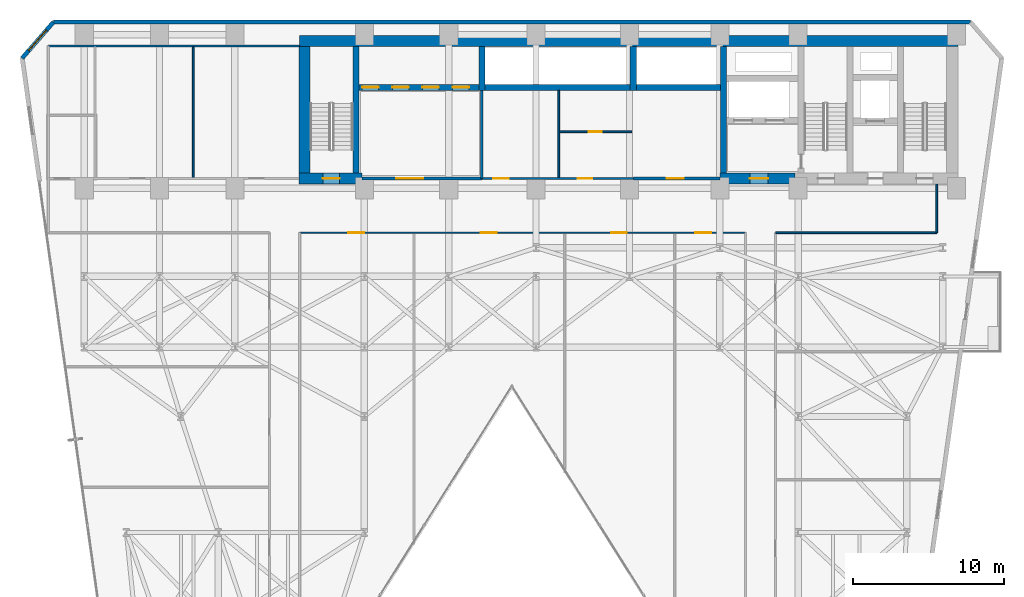
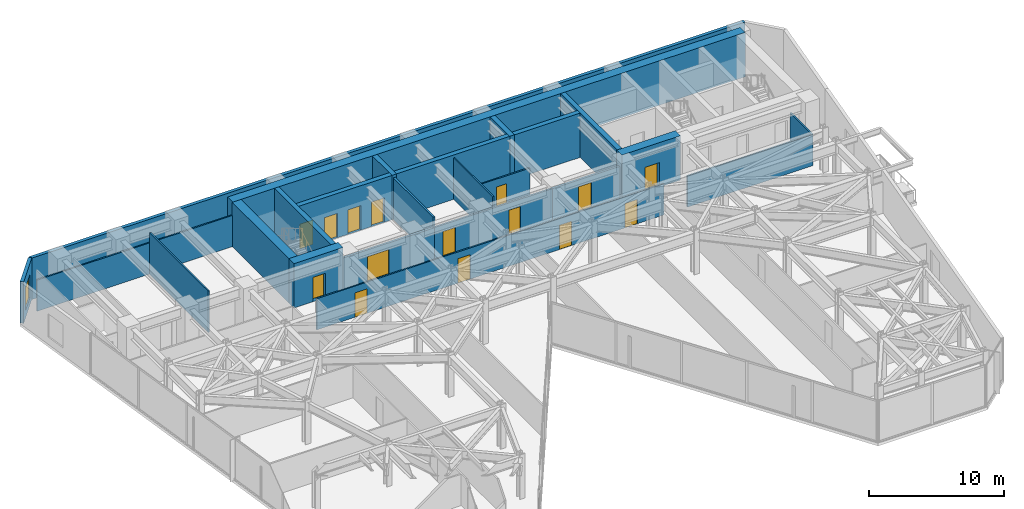
# One storey, part 20 of 25: 24 walls, 15 doors, 1 window, 16 openings.
"""IFC4 building model written with IfcOpenShell, lengths in metres."""

from ifc_helpers import new_model, si_unit, direction, frame, frame_2d, origin, place, context, subcontext, project, spatial, rectangle, extrude, material, layer, layer_set, type_object, element, fill, save


model = new_model("IFC4")

# Units and contexts
model_context = context("Model", 3, precision=1e-05, world=origin(), true_north=direction((0.0, 1.0)))
body_context = subcontext(model_context, "Body", "Model", "MODEL_VIEW")
ifc_project = project(units=[si_unit("LENGTHUNIT", "METRE"), si_unit("AREAUNIT", "SQUARE_METRE"), si_unit("VOLUMEUNIT", "CUBIC_METRE"), si_unit("PLANEANGLEUNIT", "RADIAN"), si_unit("MASSUNIT", "GRAM", prefix="KILO")], contexts=[model_context])

# Site, building, storey
site_placement = place(None, origin())
site = spatial("IfcSite", under=ifc_project, at=site_placement, CompositionType="ELEMENT")
building_placement = place(site_placement, origin())
building = spatial("IfcBuilding", under=site, at=building_placement, Name="Kravanh Interchange Tower", CompositionType="ELEMENT")
storey_placement = place(building_placement, frame((0.0, 0.0, 57.5)))
storey = spatial("IfcBuildingStorey", under=building, at=storey_placement, Name="L13", CompositionType="ELEMENT", Elevation=57.5)

# Wall
ifc_material_1 = material(Name="Double Acoustic Gypsum Board and Mineral Wool")
ifc_layer_1 = layer(ifc_material_1, 0.1201171875)
ifc_layer_set_1 = layer_set([ifc_layer_1], Name="Acoustic Office Drywall Partition 120mm")
wall_type_1 = type_object("IfcWallType", Name="Acoustic Office Drywall Partition 120mm", PredefinedType="PARTITIONING", material=ifc_layer_set_1)
wall_1_placement = place(storey_placement, frame((40.10009765625, 38.068115234375, 0.0), z_axis=(0.0, 0.0, 1.0), x_axis=(0.0, 1.0, 0.0)))
element("IfcWall", 1, at=wall_1_placement, inside=storey, type_object=wall_type_1, Name="L13 Interior Partition 5", PredefinedType="PARTITIONING", context=body_context, shape_type="SweptSolid", body=[
    extrude(rectangle(XDim=5.77392578125, YDim=0.1201171875, at=frame_2d((2.886962890625, 0.0))), origin(), (0.0, 0.0, 1.0), 3.739990234375),
])

# Wall, opening, door
wall_2_placement = place(storey_placement, frame((40.16796875, 41.10009765625, 0.0), z_axis=(0.0, 0.0, 1.0), x_axis=(1.0, 0.0, 0.0)))
wall_2 = element("IfcWall", 2, at=wall_2_placement, inside=storey, type_object=wall_type_1, Name="L13 Interior Partition 6", PredefinedType="PARTITIONING", context=body_context, shape_type="SweptSolid", body=[
    extrude(rectangle(XDim=4.781982421875, YDim=0.1201171875, at=frame_2d((2.39111328125, 0.0))), origin(), (0.0, 0.0, 1.0), 2.81298828125),
])
opening_1_placement = place(wall_2_placement, frame((1.931884765625, 0.0, 0.0)))
opening_1 = element("IfcOpeningElement", 3, at=opening_1_placement, cuts=wall_2, Name="Opening D-85", PredefinedType="OPENING", context=body_context, shape_type="SweptSolid", body=[
    extrude(rectangle(XDim=0.85009765625, YDim=2.10009765625, at=frame_2d((0.425048828125, 1.050048828125))), frame((0.0, 0.070068359375, 0.0), z_axis=(0.0, -1.0, 0.0), x_axis=(1.0, 0.0, 0.0)), (0.0, 0.0, 1.0), 0.14013671875),
])
ifc_material_2 = material(Name="Engineered Teak Veneer Timber", Category="wood")
door_type_1 = type_object("IfcDoorType", Name="En-Suite Timber Door 850x2100", OperationType="NOTDEFINED", PredefinedType="DOOR", material=ifc_material_2)
door_1_placement = place(opening_1_placement, origin())
door_1 = element("IfcDoor", 4, at=door_1_placement, inside=storey, type_object=door_type_1, Name="L13 Inner Store Door", OperationType="SINGLE_SWING_RIGHT", OverallHeight=2.10009765625, OverallWidth=0.85009765625, PredefinedType="DOOR", context=body_context, shape_type="SweptSolid", body=[
    extrude(rectangle(XDim=0.85009765625, YDim=2.10009765625, at=frame_2d((0.425048828125, 1.050048828125))), frame((0.0, 0.02490234375, 0.0), z_axis=(0.0, -1.0, 0.0), x_axis=(1.0, 0.0, 0.0)), (0.0, 0.0, 1.0), 0.050048828125),
])
fill(opening_1, door_1)

# Walls
wall_3_placement = place(storey_placement, frame((6.219970703125, 46.800048828125, 0.0), z_axis=(0.0, 0.0, 1.0), x_axis=(1.0, 0.0, 0.0)))
element("IfcWall", 5, at=wall_3_placement, inside=storey, type_object=wall_type_1, Name="L13 Restroom North Enclosure 9", PredefinedType="PARTITIONING", context=body_context, shape_type="SweptSolid", body=[
    extrude(rectangle(XDim=16.679931640625, YDim=0.1201171875, at=frame_2d((8.33984375, 0.0))), origin(), (0.0, 0.0, 1.0), 2.81298828125),
])
wall_4_placement = place(storey_placement, frame((15.840087890625, 38.068115234375, 0.0), z_axis=(0.0, 0.0, 1.0), x_axis=(0.0, 1.0, 0.0)))
element("IfcWall", 6, at=wall_4_placement, inside=storey, type_object=wall_type_1, Name="L13 Interior Partition 11", PredefinedType="PARTITIONING", context=body_context, shape_type="SweptSolid", body=[
    extrude(rectangle(XDim=8.663818359375, YDim=0.1201171875, at=frame_2d((4.33203125, 0.0))), origin(), (0.0, 0.0, 1.0), 3.739990234375),
])

# Wall, openings, doors
wall_5_placement = place(storey_placement, frame((22.89990234375, 34.39990234375, 0.0), z_axis=(0.0, 0.0, 1.0), x_axis=(1.0, 0.0, 0.0)))
wall_5 = element("IfcWall", 7, at=wall_5_placement, inside=storey, type_object=wall_type_1, Name="L13 Interior Partition 14", PredefinedType="PARTITIONING", context=body_context, shape_type="SweptSolid", body=[
    extrude(rectangle(XDim=29.60009765625, YDim=0.1201171875, at=frame_2d((14.800048828125, 0.0))), origin(), (0.0, 0.0, 1.0), 2.81298828125),
])
opening_2_placement = place(wall_5_placement, frame((3.234619140625, 0.0, 0.0)))
opening_2 = element("IfcOpeningElement", 8, at=opening_2_placement, cuts=wall_5, Name="Opening D-105", PredefinedType="OPENING", context=body_context, shape_type="SweptSolid", body=[
    extrude(rectangle(XDim=1.050048828125, YDim=2.199951171875, at=frame_2d((0.52490234375, 1.10009765625))), frame((0.0, 0.070068359375, 0.0), z_axis=(0.0, -1.0, 0.0), x_axis=(1.0, 0.0, 0.0)), (0.0, 0.0, 1.0), 0.14013671875),
])
opening_3_placement = place(wall_5_placement, frame((12.034912109375, 0.0, 0.0)))
opening_3 = element("IfcOpeningElement", 9, at=opening_3_placement, cuts=wall_5, Name="Opening D-105", PredefinedType="OPENING", context=body_context, shape_type="SweptSolid", body=[
    extrude(rectangle(XDim=1.050048828125, YDim=2.199951171875, at=frame_2d((0.52490234375, 1.10009765625))), frame((0.0, 0.070068359375, 0.0), z_axis=(0.0, -1.0, 0.0), x_axis=(1.0, 0.0, 0.0)), (0.0, 0.0, 1.0), 0.14013671875),
])
opening_4_placement = place(wall_5_placement, frame((20.6845703125, 0.0, 0.0)))
opening_4 = element("IfcOpeningElement", 10, at=opening_4_placement, cuts=wall_5, Name="Opening D-105", PredefinedType="OPENING", context=body_context, shape_type="SweptSolid", body=[
    extrude(rectangle(XDim=1.050048828125, YDim=2.199951171875, at=frame_2d((0.52490234375, 1.10009765625))), frame((0.0, 0.070068359375, 0.0), z_axis=(0.0, -1.0, 0.0), x_axis=(1.0, 0.0, 0.0)), (0.0, 0.0, 1.0), 0.14013671875),
])
opening_5_placement = place(wall_5_placement, frame((26.28076171875, 0.0, 0.0)))
opening_5 = element("IfcOpeningElement", 11, at=opening_5_placement, cuts=wall_5, Name="Opening D-105", PredefinedType="OPENING", context=body_context, shape_type="SweptSolid", body=[
    extrude(rectangle(XDim=1.050048828125, YDim=2.199951171875, at=frame_2d((0.52490234375, 1.10009765625))), frame((0.0, 0.070068359375, 0.0), z_axis=(0.0, -1.0, 0.0), x_axis=(1.0, 0.0, 0.0)), (0.0, 0.0, 1.0), 0.14013671875),
])
ifc_material_3 = material(Name="Acoustic Glazed Oak and Aluminium", Category="aluminium")
door_type_2 = type_object("IfcDoorType", Name="Office Workplace Door 1050x2200", OperationType="NOTDEFINED", PredefinedType="DOOR", material=ifc_material_3)
door_2_placement = place(opening_2_placement, origin())
door_2 = element("IfcDoor", 12, at=door_2_placement, inside=storey, type_object=door_type_2, Name="L13 Central Advisory Office Door", OperationType="SINGLE_SWING_RIGHT", OverallHeight=2.199951171875, OverallWidth=1.050048828125, PredefinedType="DOOR", context=body_context, shape_type="SweptSolid", body=[
    extrude(rectangle(XDim=1.050048828125, YDim=2.199951171875, at=frame_2d((0.52490234375, 1.10009765625))), frame((0.0, 0.02490234375, 0.0), z_axis=(0.0, -1.0, 0.0), x_axis=(1.0, 0.0, 0.0)), (0.0, 0.0, 1.0), 0.050048828125),
])
fill(opening_2, door_2)
door_3_placement = place(opening_3_placement, origin())
door_3 = element("IfcDoor", 13, at=door_3_placement, inside=storey, type_object=door_type_2, Name="L13 Executive Boardroom Door", OperationType="SINGLE_SWING_LEFT", OverallHeight=2.199951171875, OverallWidth=1.050048828125, PredefinedType="DOOR", context=body_context, shape_type="SweptSolid", body=[
    extrude(rectangle(XDim=1.050048828125, YDim=2.199951171875, at=frame_2d((0.52490234375, 1.10009765625))), frame((0.0, 0.02490234375, 0.0), z_axis=(0.0, -1.0, 0.0), x_axis=(1.0, 0.0, 0.0)), (0.0, 0.0, 1.0), 0.050048828125),
])
fill(opening_3, door_3)
door_4_placement = place(opening_4_placement, origin())
door_4 = element("IfcDoor", 14, at=door_4_placement, inside=storey, type_object=door_type_2, Name="L13 Breakout Lounge Door", OperationType="SINGLE_SWING_RIGHT", OverallHeight=2.199951171875, OverallWidth=1.050048828125, PredefinedType="DOOR", context=body_context, shape_type="SweptSolid", body=[
    extrude(rectangle(XDim=1.050048828125, YDim=2.199951171875, at=frame_2d((0.52490234375, 1.10009765625))), frame((0.0, 0.02490234375, 0.0), z_axis=(0.0, -1.0, 0.0), x_axis=(1.0, 0.0, 0.0)), (0.0, 0.0, 1.0), 0.050048828125),
])
fill(opening_4, door_4)
door_5_placement = place(opening_5_placement, origin())
door_5 = element("IfcDoor", 15, at=door_5_placement, inside=storey, type_object=door_type_2, Name="L13 Floor Kitchenette Door", OperationType="SINGLE_SWING_LEFT", OverallHeight=2.199951171875, OverallWidth=1.050048828125, PredefinedType="DOOR", context=body_context, shape_type="SweptSolid", body=[
    extrude(rectangle(XDim=1.050048828125, YDim=2.199951171875, at=frame_2d((0.52490234375, 1.10009765625))), frame((0.0, 0.02490234375, 0.0), z_axis=(0.0, -1.0, 0.0), x_axis=(1.0, 0.0, 0.0)), (0.0, 0.0, 1.0), 0.050048828125),
])
fill(opening_5, door_5)

# Walls
wall_6_placement = place(storey_placement, frame((54.5, 34.39990234375, 0.0), z_axis=(0.0, 0.0, 1.0), x_axis=(1.0, 0.0, 0.0)))
element("IfcWall", 16, at=wall_6_placement, inside=storey, type_object=wall_type_1, Name="L13 Interior Partition 15", PredefinedType="PARTITIONING", context=body_context, shape_type="SweptSolid", body=[
    extrude(rectangle(XDim=10.699951171875, YDim=0.1201171875, at=frame_2d((5.35009765625, 0.0))), origin(), (0.0, 0.0, 1.0), 2.81298828125),
])
wall_7_placement = place(storey_placement, frame((65.199951171875, 34.39990234375, 0.0), z_axis=(0.0, 0.0, 1.0), x_axis=(0.0, 1.0, 0.0)))
element("IfcWall", 17, at=wall_7_placement, inside=storey, type_object=wall_type_1, Name="L13 Interior Partition 17", PredefinedType="PARTITIONING", context=body_context, shape_type="SweptSolid", body=[
    extrude(rectangle(XDim=3.217041015625, YDim=0.1201171875, at=frame_2d((1.6083984375, 0.0))), origin(), (0.0, 0.0, 1.0), 2.81298828125),
])
ifc_material_4 = material(Name="Concrete C80/95", Category="concrete")
ifc_layer_2 = layer(ifc_material_4, 0.39990234375)
ifc_layer_set_2 = layer_set([ifc_layer_2], Name="Core Shear Wall Concrete C80/95 400mm")
wall_type_2 = type_object("IfcWallType", Name="Core Shear Wall Concrete C80/95 400mm", PredefinedType="SHEAR", material=ifc_layer_set_2)
wall_8_placement = place(storey_placement, frame((51.050048828125, 38.375, 0.0), z_axis=(0.0, 0.0, 1.0), x_axis=(0.0, 1.0, 0.0)))
element("IfcWall", 18, at=wall_8_placement, inside=storey, type_object=wall_type_2, Name="L13 Firefighting Lobby West Wall", PredefinedType="SHEAR", context=body_context, shape_type="SweptSolid", body=[
    extrude(rectangle(XDim=8.375, YDim=0.39990234375, at=frame_2d((4.1875, 0.0))), origin(), (0.0, 0.0, 1.0), 4.0),
])
wall_9_placement = place(storey_placement, frame((45.25, 44.050048828125, 0.0), z_axis=(0.0, 0.0, 1.0), x_axis=(1.0, 0.0, 0.0)))
element("IfcWall", 19, at=wall_9_placement, inside=storey, type_object=wall_type_2, Name="L13 High-Rise Lift Shaft South Wall", PredefinedType="SHEAR", context=body_context, shape_type="SweptSolid", body=[
    extrude(rectangle(XDim=5.60009765625, YDim=0.39990234375, at=frame_2d((2.800048828125, 0.0))), origin(), (0.0, 0.0, 1.0), 4.0),
])
wall_10_placement = place(storey_placement, frame((45.050048828125, 43.85009765625, 0.0), z_axis=(0.0, 0.0, 1.0), x_axis=(0.0, 1.0, 0.0)))
element("IfcWall", 20, at=wall_10_placement, inside=storey, type_object=wall_type_2, Name="L13 High-Rise Lift Shaft West Wall", PredefinedType="SHEAR", context=body_context, shape_type="SweptSolid", body=[
    extrude(rectangle(XDim=2.89990234375, YDim=0.39990234375, at=frame_2d((1.449951171875, 0.0))), origin(), (0.0, 0.0, 1.0), 4.0),
])
wall_11_placement = place(storey_placement, frame((35.199951171875, 44.050048828125, 0.0), z_axis=(0.0, 0.0, 1.0), x_axis=(1.0, 0.0, 0.0)))
element("IfcWall", 21, at=wall_11_placement, inside=storey, type_object=wall_type_2, Name="L13 Mid-Rise Lift Shaft South Wall", PredefinedType="SHEAR", context=body_context, shape_type="SweptSolid", body=[
    extrude(rectangle(XDim=9.650146484375, YDim=0.39990234375, at=frame_2d((4.8251953125, 0.0))), origin(), (0.0, 0.0, 1.0), 4.0),
])
wall_12_placement = place(storey_placement, frame((35.0, 43.85009765625, 0.0), z_axis=(0.0, 0.0, 1.0), x_axis=(0.0, 1.0, 0.0)))
element("IfcWall", 22, at=wall_12_placement, inside=storey, type_object=wall_type_2, Name="L13 Mid-Rise Lift Shaft West Wall", PredefinedType="SHEAR", context=body_context, shape_type="SweptSolid", body=[
    extrude(rectangle(XDim=2.89990234375, YDim=0.39990234375, at=frame_2d((1.449951171875, 0.0))), origin(), (0.0, 0.0, 1.0), 4.0),
])

# Wall, openings, doors
wall_13_placement = place(storey_placement, frame((26.85009765625, 44.050048828125, 0.0), z_axis=(0.0, 0.0, 1.0), x_axis=(1.0, 0.0, 0.0)))
wall_13 = element("IfcWall", 23, at=wall_13_placement, inside=storey, type_object=wall_type_2, Name="L13 Low-Rise Lift Shaft South Wall", PredefinedType="SHEAR", context=body_context, shape_type="SweptSolid", body=[
    extrude(rectangle(XDim=7.949951171875, YDim=0.39990234375, at=frame_2d((3.97509765625, 0.0))), origin(), (0.0, 0.0, 1.0), 4.0),
])
opening_6_placement = place(wall_13_placement, frame((0.199951171875, 0.0, 0.0)))
opening_6 = element("IfcOpeningElement", 24, at=opening_6_placement, cuts=wall_13, Name="Opening LD01", PredefinedType="OPENING", context=body_context, shape_type="SweptSolid", body=[
    extrude(rectangle(XDim=1.10009765625, YDim=2.199951171875, at=frame_2d((0.550048828125, 1.10009765625))), frame((0.0, 0.2099609375, 0.0), z_axis=(0.0, -1.0, 0.0), x_axis=(1.0, 0.0, 0.0)), (0.0, 0.0, 1.0), 0.419921875),
])
opening_7_placement = place(wall_13_placement, frame((2.199951171875, 0.0, 0.0)))
opening_7 = element("IfcOpeningElement", 25, at=opening_7_placement, cuts=wall_13, Name="Opening LD01", PredefinedType="OPENING", context=body_context, shape_type="SweptSolid", body=[
    extrude(rectangle(XDim=1.10009765625, YDim=2.199951171875, at=frame_2d((0.550048828125, 1.10009765625))), frame((0.0, 0.2099609375, 0.0), z_axis=(0.0, -1.0, 0.0), x_axis=(1.0, 0.0, 0.0)), (0.0, 0.0, 1.0), 0.419921875),
])
opening_8_placement = place(wall_13_placement, frame((4.199951171875, 0.0, 0.0)))
opening_8 = element("IfcOpeningElement", 26, at=opening_8_placement, cuts=wall_13, Name="Opening LD01", PredefinedType="OPENING", context=body_context, shape_type="SweptSolid", body=[
    extrude(rectangle(XDim=1.10009765625, YDim=2.199951171875, at=frame_2d((0.550048828125, 1.10009765625))), frame((0.0, 0.2099609375, 0.0), z_axis=(0.0, -1.0, 0.0), x_axis=(1.0, 0.0, 0.0)), (0.0, 0.0, 1.0), 0.419921875),
])
opening_9_placement = place(wall_13_placement, frame((6.199951171875, 0.0, 0.0)))
opening_9 = element("IfcOpeningElement", 27, at=opening_9_placement, cuts=wall_13, Name="Opening LD01", PredefinedType="OPENING", context=body_context, shape_type="SweptSolid", body=[
    extrude(rectangle(XDim=1.10009765625, YDim=2.199951171875, at=frame_2d((0.550048828125, 1.10009765625))), frame((0.0, 0.2099609375, 0.0), z_axis=(0.0, -1.0, 0.0), x_axis=(1.0, 0.0, 0.0)), (0.0, 0.0, 1.0), 0.419921875),
])
ifc_material_5 = material(Name="Stainless Steel 304", Category="steel")
door_type_3 = type_object("IfcDoorType", Name="Passenger Lift Sliding Landing Door 1100x2200", OperationType="DOUBLE_DOOR_SLIDING", PredefinedType="DOOR", material=ifc_material_5)
door_6_placement = place(opening_6_placement, origin())
door_6 = element("IfcDoor", 28, at=door_6_placement, inside=storey, type_object=door_type_3, Name="L13 Lift LP-L1 Landing Door", OperationType="DOUBLE_DOOR_SLIDING", OverallHeight=2.199951171875, OverallWidth=1.10009765625, PredefinedType="DOOR", context=body_context, shape_type="SweptSolid", body=[
    extrude(rectangle(XDim=1.10009765625, YDim=2.199951171875, at=frame_2d((0.550048828125, 1.10009765625))), frame((0.0, 0.02490234375, 0.0), z_axis=(0.0, -1.0, 0.0), x_axis=(1.0, 0.0, 0.0)), (0.0, 0.0, 1.0), 0.050048828125),
])
fill(opening_6, door_6)
door_7_placement = place(opening_7_placement, origin())
door_7 = element("IfcDoor", 29, at=door_7_placement, inside=storey, type_object=door_type_3, Name="L13 Lift LP-L2 Landing Door", OperationType="DOUBLE_DOOR_SLIDING", OverallHeight=2.199951171875, OverallWidth=1.10009765625, PredefinedType="DOOR", context=body_context, shape_type="SweptSolid", body=[
    extrude(rectangle(XDim=1.10009765625, YDim=2.199951171875, at=frame_2d((0.550048828125, 1.10009765625))), frame((0.0, 0.02490234375, 0.0), z_axis=(0.0, -1.0, 0.0), x_axis=(1.0, 0.0, 0.0)), (0.0, 0.0, 1.0), 0.050048828125),
])
fill(opening_7, door_7)
door_8_placement = place(opening_8_placement, origin())
door_8 = element("IfcDoor", 30, at=door_8_placement, inside=storey, type_object=door_type_3, Name="L13 Lift LP-L3 Landing Door", OperationType="DOUBLE_DOOR_SLIDING", OverallHeight=2.199951171875, OverallWidth=1.10009765625, PredefinedType="DOOR", context=body_context, shape_type="SweptSolid", body=[
    extrude(rectangle(XDim=1.10009765625, YDim=2.199951171875, at=frame_2d((0.550048828125, 1.10009765625))), frame((0.0, 0.02490234375, 0.0), z_axis=(0.0, -1.0, 0.0), x_axis=(1.0, 0.0, 0.0)), (0.0, 0.0, 1.0), 0.050048828125),
])
fill(opening_8, door_8)
door_9_placement = place(opening_9_placement, origin())
door_9 = element("IfcDoor", 31, at=door_9_placement, inside=storey, type_object=door_type_3, Name="L13 Lift LP-L4 Landing Door", OperationType="DOUBLE_DOOR_SLIDING", OverallHeight=2.199951171875, OverallWidth=1.10009765625, PredefinedType="DOOR", context=body_context, shape_type="SweptSolid", body=[
    extrude(rectangle(XDim=1.10009765625, YDim=2.199951171875, at=frame_2d((0.550048828125, 1.10009765625))), frame((0.0, 0.02490234375, 0.0), z_axis=(0.0, -1.0, 0.0), x_axis=(1.0, 0.0, 0.0)), (0.0, 0.0, 1.0), 0.050048828125),
])
fill(opening_9, door_9)

# Walls
wall_14_placement = place(storey_placement, frame((26.64990234375, 38.375, 0.0), z_axis=(0.0, 0.0, 1.0), x_axis=(0.0, 1.0, 0.0)))
element("IfcWall", 32, at=wall_14_placement, inside=storey, type_object=wall_type_2, Name="L13 Stair ST3 East Shear Wall", PredefinedType="SHEAR", context=body_context, shape_type="SweptSolid", body=[
    extrude(rectangle(XDim=8.375, YDim=0.39990234375, at=frame_2d((4.1875, 0.0))), origin(), (0.0, 0.0, 1.0), 4.0),
])
ifc_material_6 = material(Name="Concrete C80/95", Category="concrete")
ifc_layer_3 = layer(ifc_material_6, 0.75)
ifc_layer_set_3 = layer_set([ifc_layer_3], Name="Core Shear Wall Concrete C80/95 750mm")
wall_type_3 = type_object("IfcWallType", Name="Core Shear Wall Concrete C80/95 750mm", PredefinedType="SHEAR", material=ifc_layer_set_3)
wall_15_placement = place(storey_placement, frame((22.89990234375, 47.125, 0.0), z_axis=(0.0, 0.0, 1.0), x_axis=(1.0, 0.0, 0.0)))
element("IfcWall", 33, at=wall_15_placement, inside=storey, type_object=wall_type_3, Name="L13 North Core Shear Wall", PredefinedType="SHEAR", context=body_context, shape_type="SweptSolid", body=[
    extrude(rectangle(XDim=43.7001953125, YDim=0.75, at=frame_2d((21.85009765625, 0.0))), origin(), (0.0, 0.0, 1.0), 4.0),
])

# Wall, opening, door
wall_16_placement = place(storey_placement, frame((50.800048828125, 38.0, 0.0), z_axis=(0.0, 0.0, 1.0), x_axis=(1.0, 0.0, 0.0)))
wall_16 = element("IfcWall", 34, at=wall_16_placement, inside=storey, type_object=wall_type_3, Name="L13 Firefighting Lobby South Shear Wall", PredefinedType="SHEAR", context=body_context, shape_type="SweptSolid", body=[
    extrude(rectangle(XDim=5.0, YDim=0.75, at=frame_2d((2.5, 0.0))), origin(), (0.0, 0.0, 1.0), 4.0),
])
opening_10_placement = place(wall_16_placement, frame((2.0, 0.0, 0.0)))
opening_10 = element("IfcOpeningElement", 35, at=opening_10_placement, cuts=wall_16, Name="Opening D-FSAE-120", PredefinedType="OPENING", context=body_context, shape_type="SweptSolid", body=[
    extrude(rectangle(XDim=1.199951171875, YDim=2.199951171875, at=frame_2d((0.60009765625, 1.10009765625))), frame((0.0, 0.385009765625, 0.0), z_axis=(0.0, -1.0, 0.0), x_axis=(1.0, 0.0, 0.0)), (0.0, 0.0, 1.0), 0.77001953125),
])
ifc_material_7 = material(Name="Structural Steel S355", Category="steel")
door_type_4 = type_object("IfcDoorType", Name="Fire-Rated Refuge and FSAE Door 1200x2200", OperationType="NOTDEFINED", PredefinedType="DOOR", material=ifc_material_7)
door_10_placement = place(opening_10_placement, origin())
door_10 = element("IfcDoor", 36, at=door_10_placement, inside=storey, type_object=door_type_4, Name="L13 Firefighting Lobby Corridor Door", OperationType="SINGLE_SWING_RIGHT", OverallHeight=2.199951171875, OverallWidth=1.199951171875, PredefinedType="DOOR", context=body_context, shape_type="SweptSolid", body=[
    extrude(rectangle(XDim=1.199951171875, YDim=2.199951171875, at=frame_2d((0.60009765625, 1.10009765625))), frame((0.0, 0.02490234375, 0.0), z_axis=(0.0, -1.0, 0.0), x_axis=(1.0, 0.0, 0.0)), (0.0, 0.0, 1.0), 0.050048828125),
])
fill(opening_10, door_10)

wall_17_placement = place(storey_placement, frame((22.85009765625, 38.0, 0.0), z_axis=(0.0, 0.0, 1.0), x_axis=(1.0, 0.0, 0.0)))
wall_17 = element("IfcWall", 37, at=wall_17_placement, inside=storey, type_object=wall_type_3, Name="L13 Stair ST3 South Shear Wall", PredefinedType="SHEAR", context=body_context, shape_type="SweptSolid", body=[
    extrude(rectangle(XDim=4.199951171875, YDim=0.75, at=frame_2d((2.10009765625, 0.0))), origin(), (0.0, 0.0, 1.0), 4.0),
])
opening_11_placement = place(wall_17_placement, frame((1.60009765625, 0.0, 0.0)))
opening_11 = element("IfcOpeningElement", 38, at=opening_11_placement, cuts=wall_17, Name="Opening D-STAIR-110", PredefinedType="OPENING", context=body_context, shape_type="SweptSolid", body=[
    extrude(rectangle(XDim=1.10009765625, YDim=2.199951171875, at=frame_2d((0.550048828125, 1.10009765625))), frame((0.0, 0.385009765625, 0.0), z_axis=(0.0, -1.0, 0.0), x_axis=(1.0, 0.0, 0.0)), (0.0, 0.0, 1.0), 0.77001953125),
])
ifc_material_8 = material(Name="Structural Steel S355", Category="steel")
door_type_5 = type_object("IfcDoorType", Name="Fire-Rated Exit Stair Door 1100x2200", OperationType="NOTDEFINED", PredefinedType="DOOR", material=ifc_material_8)
door_11_placement = place(opening_11_placement, origin())
door_11 = element("IfcDoor", 39, at=door_11_placement, inside=storey, type_object=door_type_5, Name="L13 Exit Stair ST3 Door", OperationType="SINGLE_SWING_RIGHT", OverallHeight=2.199951171875, OverallWidth=1.10009765625, PredefinedType="DOOR", context=body_context, shape_type="SweptSolid", body=[
    extrude(rectangle(XDim=1.10009765625, YDim=2.199951171875, at=frame_2d((0.550048828125, 1.10009765625))), frame((0.0, 0.02490234375, 0.0), z_axis=(0.0, -1.0, 0.0), x_axis=(1.0, 0.0, 0.0)), (0.0, 0.0, 1.0), 0.050048828125),
])
fill(opening_11, door_11)

# Wall
wall_18_placement = place(storey_placement, frame((23.22509765625, 38.375, 0.0), z_axis=(0.0, 0.0, 1.0), x_axis=(0.0, 1.0, 0.0)))
element("IfcWall", 40, at=wall_18_placement, inside=storey, type_object=wall_type_3, Name="L13 Stair ST3 West Shear Wall", PredefinedType="SHEAR", context=body_context, shape_type="SweptSolid", body=[
    extrude(rectangle(XDim=8.375, YDim=0.75, at=frame_2d((4.1875, 0.0))), origin(), (0.0, 0.0, 1.0), 4.0),
])

# Wall, opening, window
ifc_material_9 = material(Name="Insulated Precast Concrete C40/50 with Bronze Cladding", Category="concrete")
ifc_layer_4 = layer(ifc_material_9, 0.280029296875)
ifc_layer_set_4 = layer_set([ifc_layer_4], Name="Exterior Insulated Concrete C40/50 Bronze Spandrel Wall 280mm")
wall_type_4 = type_object("IfcWallType", Name="Exterior Insulated Concrete C40/50 Bronze Spandrel Wall 280mm", PredefinedType="STANDARD", material=ifc_layer_set_4)
wall_19_placement = place(storey_placement, frame((4.474365234375, 45.98681640625, 0.0), z_axis=(0.0, 0.0, 1.0), x_axis=(0.656070053895, 0.754699996278, 0.0)))
wall_19 = element("IfcWall", 41, at=wall_19_placement, inside=storey, type_object=wall_type_4, Name="L13 Exterior Wall 2", PredefinedType="STANDARD", context=body_context, shape_type="SweptSolid", body=[
    extrude(rectangle(XDim=3.1708984375, YDim=0.280029296875, at=frame_2d((1.58544921875, 0.0))), origin(), (0.0, 0.0, 1.0), 3.739990234375),
])
opening_12_placement = place(wall_19_placement, frame((0.66650390625, 0.0, 0.64990234375)))
opening_12 = element("IfcOpeningElement", 42, at=opening_12_placement, cuts=wall_19, Name="Opening WN-180X210", PredefinedType="OPENING", context=body_context, shape_type="SweptSolid", body=[
    extrude(rectangle(XDim=1.800048828125, YDim=2.10009765625, at=frame_2d((0.89990234375, 1.050048828125))), frame((0.0, 0.14990234375, 0.0), z_axis=(0.0, -1.0, 0.0), x_axis=(1.0, 0.0, 0.0)), (0.0, 0.0, 1.0), 0.300048828125),
])
ifc_material_10 = material(Name="Thermally Broken Bronze Aluminium and Low-E Glass", Category="aluminium")
window_type = type_object("IfcWindowType", Name="Tower Pier Window 1800x2100", PartitioningType="SINGLE_PANEL", PredefinedType="WINDOW", material=ifc_material_10)
window_placement = place(opening_12_placement, origin())
window = element("IfcWindow", 43, at=window_placement, inside=storey, type_object=window_type, Name="L13 Corner Window 2", OverallHeight=2.10009765625, OverallWidth=1.800048828125, PartitioningType="SINGLE_PANEL", PredefinedType="WINDOW", context=body_context, shape_type="SweptSolid", body=[
    extrude(rectangle(XDim=1.800048828125, YDim=2.10009765625, at=frame_2d((0.89990234375, 1.050048828125))), frame((0.0, 0.030029296875, 0.0), z_axis=(0.0, -1.0, 0.0), x_axis=(1.0, 0.0, 0.0)), (0.0, 0.0, 1.0), 0.06005859375),
])
fill(opening_12, window)

# Wall
wall_20_placement = place(storey_placement, frame((6.5546875, 48.3798828125, 0.0), z_axis=(0.0, 0.0, 1.0), x_axis=(1.0, 0.0, 0.0)))
element("IfcWall", 44, at=wall_20_placement, inside=storey, type_object=wall_type_4, Name="L13 Exterior Wall 3", PredefinedType="STANDARD", context=body_context, shape_type="SweptSolid", body=[
    extrude(rectangle(XDim=60.890625, YDim=0.280029296875, at=frame_2d((30.4453125, 0.0))), origin(), (0.0, 0.0, 1.0), 3.739990234375),
])

# Wall, opening, door
ifc_material_11 = material(Name="Autoclaved Aerated Concrete C30/37 Blockwork", Category="masonry")
ifc_layer_5 = layer(ifc_material_11, 0.179931640625)
ifc_layer_set_5 = layer_set([ifc_layer_5], Name="Fire-Rated Lobby and Corridor Wall Concrete C30/37 180mm")
wall_type_5 = type_object("IfcWallType", Name="Fire-Rated Lobby and Corridor Wall Concrete C30/37 180mm", PredefinedType="STANDARD", material=ifc_layer_set_5)
wall_21_placement = place(storey_placement, frame((45.050048828125, 38.0, 0.0), z_axis=(0.0, 0.0, 1.0), x_axis=(1.0, 0.0, 0.0)))
wall_21 = element("IfcWall", 45, at=wall_21_placement, inside=storey, type_object=wall_type_5, Name="L13 Core South Enclosure 1", PredefinedType="STANDARD", context=body_context, shape_type="SweptSolid", body=[
    extrude(rectangle(XDim=5.75, YDim=0.179931640625, at=frame_2d((2.875, 0.0))), origin(), (0.0, 0.0, 1.0), 2.81298828125),
])
opening_13_placement = place(wall_21_placement, frame((2.240478515625, 0.0, 0.0)))
opening_13 = element("IfcOpeningElement", 46, at=opening_13_placement, cuts=wall_21, Name="Opening D-SHAFT-110", PredefinedType="OPENING", context=body_context, shape_type="SweptSolid", body=[
    extrude(rectangle(XDim=1.10009765625, YDim=2.199951171875, at=frame_2d((0.550048828125, 1.10009765625))), frame((0.0, 0.10009765625, 0.0), z_axis=(0.0, -1.0, 0.0), x_axis=(1.0, 0.0, 0.0)), (0.0, 0.0, 1.0), 0.199951171875),
])
ifc_material_12 = material(Name="Fire-Rated Composite Timber Leaf", Category="wood")
door_type_6 = type_object("IfcDoorType", Name="Fire-Rated Core Support Door 1100x2200", OperationType="NOTDEFINED", PredefinedType="DOOR", material=ifc_material_12)
door_12_placement = place(opening_13_placement, origin())
door_12 = element("IfcDoor", 47, at=door_12_placement, inside=storey, type_object=door_type_6, Name="L13 Core AHU Fan Room Door", OperationType="SINGLE_SWING_LEFT", OverallHeight=2.199951171875, OverallWidth=1.10009765625, PredefinedType="DOOR", context=body_context, shape_type="SweptSolid", body=[
    extrude(rectangle(XDim=1.10009765625, YDim=2.199951171875, at=frame_2d((0.550048828125, 1.10009765625))), frame((0.0, 0.02490234375, 0.0), z_axis=(0.0, -1.0, 0.0), x_axis=(1.0, 0.0, 0.0)), (0.0, 0.0, 1.0), 0.050048828125),
])
fill(opening_13, door_12)

# Wall
wall_22_placement = place(storey_placement, frame((35.0, 38.0, 0.0), z_axis=(0.0, 0.0, 1.0), x_axis=(0.0, 1.0, 0.0)))
element("IfcWall", 48, at=wall_22_placement, inside=storey, type_object=wall_type_5, Name="L13 Low-Rise Lobby East Wall 2", PredefinedType="STANDARD", context=body_context, shape_type="SweptSolid", body=[
    extrude(rectangle(XDim=5.85009765625, YDim=0.179931640625, at=frame_2d((2.925048828125, 0.0))), origin(), (0.0, 0.0, 1.0), 3.739990234375),
])

# Wall, opening, door
wall_23_placement = place(storey_placement, frame((27.050048828125, 38.0, 0.0), z_axis=(0.0, 0.0, 1.0), x_axis=(1.0, 0.0, 0.0)))
wall_23 = element("IfcWall", 49, at=wall_23_placement, inside=storey, type_object=wall_type_5, Name="L13 Low-Rise Lobby South Wall 3", PredefinedType="STANDARD", context=body_context, shape_type="SweptSolid", body=[
    extrude(rectangle(XDim=7.949951171875, YDim=0.179931640625, at=frame_2d((3.97509765625, 0.0))), origin(), (0.0, 0.0, 1.0), 2.81298828125),
])
opening_14_placement = place(wall_23_placement, frame((2.25, 0.0, 0.0)))
opening_14 = element("IfcOpeningElement", 50, at=opening_14_placement, cuts=wall_23, Name="Opening DBL-180", PredefinedType="OPENING", context=body_context, shape_type="SweptSolid", body=[
    extrude(rectangle(XDim=1.800048828125, YDim=2.199951171875, at=frame_2d((0.89990234375, 1.10009765625))), frame((0.0, 0.10009765625, 0.0), z_axis=(0.0, -1.0, 0.0), x_axis=(1.0, 0.0, 0.0)), (0.0, 0.0, 1.0), 0.199951171875),
])
ifc_material_13 = material(Name="Structural Steel S355", Category="steel")
door_type_7 = type_object("IfcDoorType", Name="Lift Lobby Double Fire Door 1800x2200", OperationType="DOUBLE_DOOR_SINGLE_SWING", PredefinedType="DOOR", material=ifc_material_13)
door_13_placement = place(opening_14_placement, origin())
door_13 = element("IfcDoor", 51, at=door_13_placement, inside=storey, type_object=door_type_7, Name="L13 Low-Rise Lift Lobby Door", OperationType="DOUBLE_DOOR_SINGLE_SWING", OverallHeight=2.199951171875, OverallWidth=1.800048828125, PredefinedType="DOOR", context=body_context, shape_type="SweptSolid", body=[
    extrude(rectangle(XDim=1.800048828125, YDim=2.199951171875, at=frame_2d((0.89990234375, 1.10009765625))), frame((0.0, 0.02490234375, 0.0), z_axis=(0.0, -1.0, 0.0), x_axis=(1.0, 0.0, 0.0)), (0.0, 0.0, 1.0), 0.050048828125),
])
fill(opening_14, door_13)

# Wall, openings, doors
ifc_material_14 = material(Name="Twin Stud Acoustic Gypsum Board Wall")
ifc_layer_6 = layer(ifc_material_14, 0.14990234375)
ifc_layer_set_6 = layer_set([ifc_layer_6], Name="Medium-Duty Acoustic Partition 150mm")
wall_type_6 = type_object("IfcWallType", Name="Medium-Duty Acoustic Partition 150mm", PredefinedType="PARTITIONING", material=ifc_layer_set_6)
wall_24_placement = place(storey_placement, frame((35.0, 38.0, 0.0), z_axis=(0.0, 0.0, 1.0), x_axis=(1.0, 0.0, 0.0)))
wall_24 = element("IfcWall", 52, at=wall_24_placement, inside=storey, type_object=wall_type_6, Name="L13 Core Support South Wall 4", PredefinedType="PARTITIONING", context=body_context, shape_type="SweptSolid", body=[
    extrude(rectangle(XDim=10.050048828125, YDim=0.14990234375, at=frame_2d((5.02490234375, 0.0))), origin(), (0.0, 0.0, 1.0), 2.81298828125),
])
opening_15_placement = place(wall_24_placement, frame((0.75, 0.0, 0.0)))
opening_15 = element("IfcOpeningElement", 53, at=opening_15_placement, cuts=wall_24, Name="Opening D-105", PredefinedType="OPENING", context=body_context, shape_type="SweptSolid", body=[
    extrude(rectangle(XDim=1.050048828125, YDim=2.199951171875, at=frame_2d((0.52490234375, 1.10009765625))), frame((0.0, 0.0849609375, 0.0), z_axis=(0.0, -1.0, 0.0), x_axis=(1.0, 0.0, 0.0)), (0.0, 0.0, 1.0), 0.169921875),
])
opening_16_placement = place(wall_24_placement, frame((6.375, 0.0, 0.0)))
opening_16 = element("IfcOpeningElement", 54, at=opening_16_placement, cuts=wall_24, Name="Opening D-95", PredefinedType="OPENING", context=body_context, shape_type="SweptSolid", body=[
    extrude(rectangle(XDim=0.949951171875, YDim=2.14990234375, at=frame_2d((0.47509765625, 1.074951171875))), frame((0.0, 0.0849609375, 0.0), z_axis=(0.0, -1.0, 0.0), x_axis=(1.0, 0.0, 0.0)), (0.0, 0.0, 1.0), 0.169921875),
])
ifc_material_15 = material(Name="Laminate Solid-Core Timber", Category="wood")
door_type_8 = type_object("IfcDoorType", Name="Accessible Restroom Door 950x2150", OperationType="NOTDEFINED", PredefinedType="DOOR", material=ifc_material_15)
door_14_placement = place(opening_16_placement, origin())
door_14 = element("IfcDoor", 55, at=door_14_placement, inside=storey, type_object=door_type_8, Name="L13 Mail Room Door", OperationType="SINGLE_SWING_LEFT", OverallHeight=2.14990234375, OverallWidth=0.949951171875, PredefinedType="DOOR", context=body_context, shape_type="SweptSolid", body=[
    extrude(rectangle(XDim=0.949951171875, YDim=2.14990234375, at=frame_2d((0.47509765625, 1.074951171875))), frame((0.0, 0.02490234375, 0.0), z_axis=(0.0, -1.0, 0.0), x_axis=(1.0, 0.0, 0.0)), (0.0, 0.0, 1.0), 0.050048828125),
])
fill(opening_16, door_14)
door_15_placement = place(opening_15_placement, origin())
door_15 = element("IfcDoor", 56, at=door_15_placement, inside=storey, type_object=door_type_2, Name="L13 Server Room Door", OperationType="SINGLE_SWING_RIGHT", OverallHeight=2.199951171875, OverallWidth=1.050048828125, PredefinedType="DOOR", context=body_context, shape_type="SweptSolid", body=[
    extrude(rectangle(XDim=1.050048828125, YDim=2.199951171875, at=frame_2d((0.52490234375, 1.10009765625))), frame((0.0, 0.02490234375, 0.0), z_axis=(0.0, -1.0, 0.0), x_axis=(1.0, 0.0, 0.0)), (0.0, 0.0, 1.0), 0.050048828125),
])
fill(opening_15, door_15)

save(model, "model.ifc")
